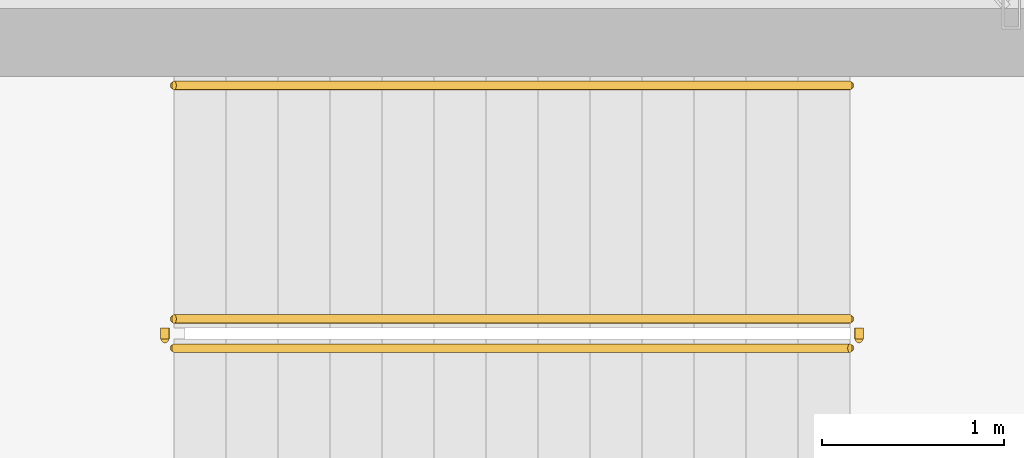
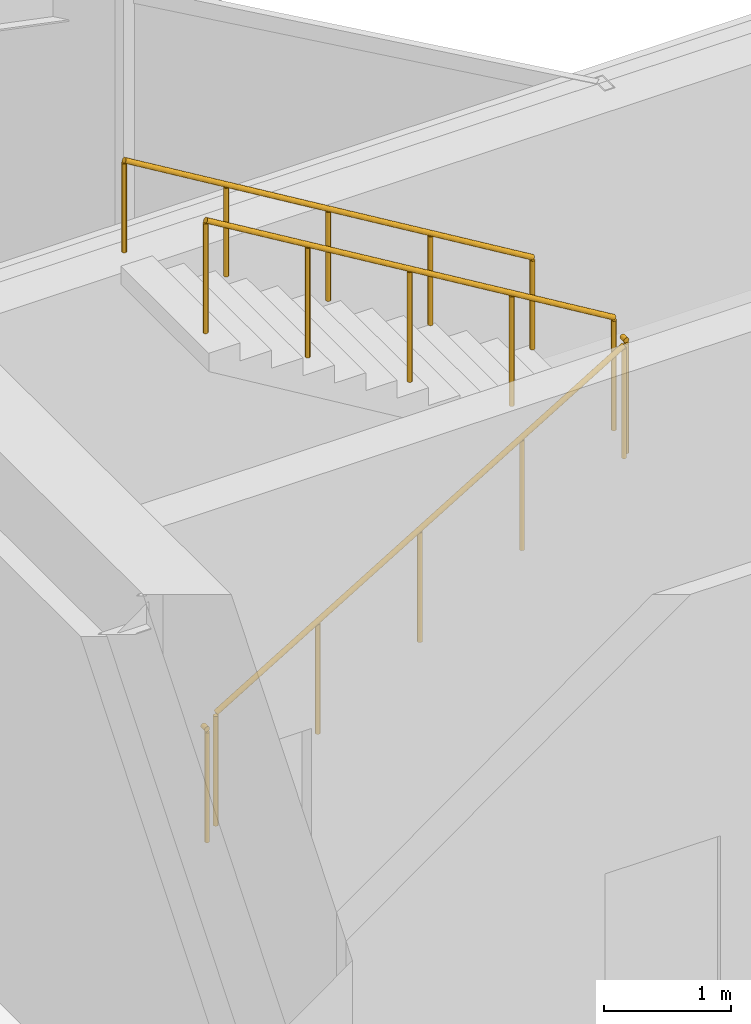
# One storey, part 15 of 15: 5 railings.
"""IFC4 building model written with IfcOpenShell, lengths in metres."""

from ifc_helpers import new_model, si_unit, direction, frame, origin, origin_2d, place, context, subcontext, project, spatial, circle, extrude, material, type_object, element, save


model = new_model("IFC4")

# Units and contexts
model_context = context("Model", 3, precision=1e-05, world=origin(), true_north=direction((0.0, 1.0)))
body_context = subcontext(model_context, "Body", "Model", "MODEL_VIEW")
ifc_project = project(units=[si_unit("LENGTHUNIT", "METRE"), si_unit("AREAUNIT", "SQUARE_METRE"), si_unit("VOLUMEUNIT", "CUBIC_METRE"), si_unit("PLANEANGLEUNIT", "RADIAN"), si_unit("MASSUNIT", "GRAM", prefix="KILO")], contexts=[model_context])

# Site, building, storey
site_placement = place(None, origin())
site = spatial("IfcSite", under=ifc_project, at=site_placement, CompositionType="ELEMENT")
building_placement = place(site_placement, origin())
building = spatial("IfcBuilding", under=site, at=building_placement, Name="Veymaron Broadcast Tower", CompositionType="ELEMENT")
storey_placement = place(building_placement, frame((0.0, 0.0, 262.050048828125)))
storey = spatial("IfcBuildingStorey", under=building, at=storey_placement, Name="L61", CompositionType="ELEMENT", Elevation=262.050048828125)

# Railings
ifc_material_1 = material(Name="Brushed stainless steel AISI 304", Category="steel")
railing_type_1 = type_object("IfcRailingType", Name="RAIL-STAIR-HR", PredefinedType="HANDRAIL", material=ifc_material_1)
railing_1_placement = place(storey_placement, frame((45.135009765625, 31.5, 2.5712890625)))
element("IfcRailing", 1, at=railing_1_placement, inside=storey, type_object=railing_type_1, Name="L61 ST1 stair handrail 2", PredefinedType="HANDRAIL", context=body_context, shape_type="SweptSolid", body=[
    extrude(circle(Radius=0.02392578125, at=origin_2d()), frame((0.0, 0.0, 0.8759765625), z_axis=(-0.856909459561, 0.0, 0.515466951525), x_axis=(0.0, -1.0, 0.0)), (0.0, 0.0, 1.0), 4.32373046875),
    extrude(circle(Radius=0.02099609375, at=origin_2d()), origin(), (0.0, 0.0, 1.0), 0.851806640625),
    extrude(circle(Radius=0.02099609375, at=origin_2d()), frame((-0.92626953125, 0.0, 0.55712890625)), (0.0, 0.0, 1.0), 0.851806640625),
    extrude(circle(Radius=0.02099609375, at=origin_2d()), frame((-1.8525390625, 0.0, 1.1142578125)), (0.0, 0.0, 1.0), 0.851806640625),
    extrude(circle(Radius=0.02099609375, at=origin_2d()), frame((-2.77880859375, 0.0, 1.671630859375)), (0.0, 0.0, 1.0), 0.851806640625),
    extrude(circle(Radius=0.02099609375, at=origin_2d()), frame((-3.705078125, 0.0, 2.228759765625)), (0.0, 0.0, 1.0), 0.851806640625),
])
ifc_material_2 = material(Name="Painted galvanized steel balustrade", Category="steel")
railing_type_2 = type_object("IfcRailingType", Name="RAIL-WELL-GRD", PredefinedType="GUARDRAIL", material=ifc_material_2)
railing_2_placement = place(storey_placement, frame((41.429931640625, 30.06005859375, 0.17138671875)))
element("IfcRailing", 2, at=railing_2_placement, inside=storey, type_object=railing_type_2, Name="L61 ST1 stair guard 1", PredefinedType="GUARDRAIL", context=body_context, shape_type="SweptSolid", body=[
    extrude(circle(Radius=0.02392578125, at=origin_2d()), frame((0.0, 0.0, 1.076171875), z_axis=(0.856934400257, 0.0, 0.515425487977), x_axis=(0.0, 1.0, 0.0)), (0.0, 0.0, 1.0), 4.32373046875),
    extrude(circle(Radius=0.02099609375, at=origin_2d()), origin(), (0.0, 0.0, 1.0), 1.052001953125),
    extrude(circle(Radius=0.02099609375, at=origin_2d()), frame((0.92626953125, 0.0, 0.55712890625)), (0.0, 0.0, 1.0), 1.052001953125),
    extrude(circle(Radius=0.02099609375, at=origin_2d()), frame((1.8525390625, 0.0, 1.1142578125)), (0.0, 0.0, 1.0), 1.052001953125),
    extrude(circle(Radius=0.02099609375, at=origin_2d()), frame((2.77880859375, 0.0, 1.67138671875)), (0.0, 0.0, 1.0), 1.052001953125),
    extrude(circle(Radius=0.02099609375, at=origin_2d()), frame((3.705078125, 0.0, 2.228515625)), (0.0, 0.0, 1.0), 1.052001953125),
])
railing_3_placement = place(storey_placement, frame((45.18505859375, 30.110107421875, 2.39990234375)))
element("IfcRailing", 3, at=railing_3_placement, inside=storey, type_object=railing_type_2, Name="L61 ST1 stair guard 2", PredefinedType="GUARDRAIL", context=body_context, shape_type="SweptSolid", body=[
    extrude(circle(Radius=0.02392578125, at=origin_2d()), frame((0.0, 0.0, 1.076171875), z_axis=(0.0, 1.0, 0.0), x_axis=(-1.0, 0.0, 0.0)), (0.0, 0.0, 1.0), 0.059814453125),
    extrude(circle(Radius=0.02099609375, at=origin_2d()), origin(), (0.0, 0.0, 1.0), 1.052001953125),
])
railing_4_placement = place(storey_placement, frame((45.135009765625, 30.219970703125, 2.5712890625)))
element("IfcRailing", 4, at=railing_4_placement, inside=storey, type_object=railing_type_2, Name="L61 ST1 stair guard 3", PredefinedType="GUARDRAIL", context=body_context, shape_type="SweptSolid", body=[
    extrude(circle(Radius=0.02392578125, at=origin_2d()), frame((0.0, 0.0, 1.076171875), z_axis=(-0.856909459561, 0.0, 0.515466951525), x_axis=(0.0, -1.0, 0.0)), (0.0, 0.0, 1.0), 4.32373046875),
    extrude(circle(Radius=0.02099609375, at=origin_2d()), origin(), (0.0, 0.0, 1.0), 1.052001953125),
    extrude(circle(Radius=0.02099609375, at=origin_2d()), frame((-0.92626953125, 0.0, 0.55712890625)), (0.0, 0.0, 1.0), 1.052001953125),
    extrude(circle(Radius=0.02099609375, at=origin_2d()), frame((-1.8525390625, 0.0, 1.1142578125)), (0.0, 0.0, 1.0), 1.052001953125),
    extrude(circle(Radius=0.02099609375, at=origin_2d()), frame((-2.77880859375, 0.0, 1.671630859375)), (0.0, 0.0, 1.0), 1.052001953125),
    extrude(circle(Radius=0.02099609375, at=origin_2d()), frame((-3.705078125, 0.0, 2.228759765625)), (0.0, 0.0, 1.0), 1.052001953125),
])
railing_5_placement = place(storey_placement, frame((41.3798828125, 30.110107421875, 0.0)))
element("IfcRailing", 5, at=railing_5_placement, inside=storey, type_object=railing_type_2, Name="L61 ST1 stair guard 4", PredefinedType="GUARDRAIL", context=body_context, shape_type="SweptSolid", body=[
    extrude(circle(Radius=0.02392578125, at=origin_2d()), frame((0.0, 0.0, 1.076171875), z_axis=(0.0, 1.0, 0.0), x_axis=(-1.0, 0.0, 0.0)), (0.0, 0.0, 1.0), 0.059814453125),
    extrude(circle(Radius=0.02099609375, at=origin_2d()), origin(), (0.0, 0.0, 1.0), 1.052001953125),
])

save(model, "model.ifc")
